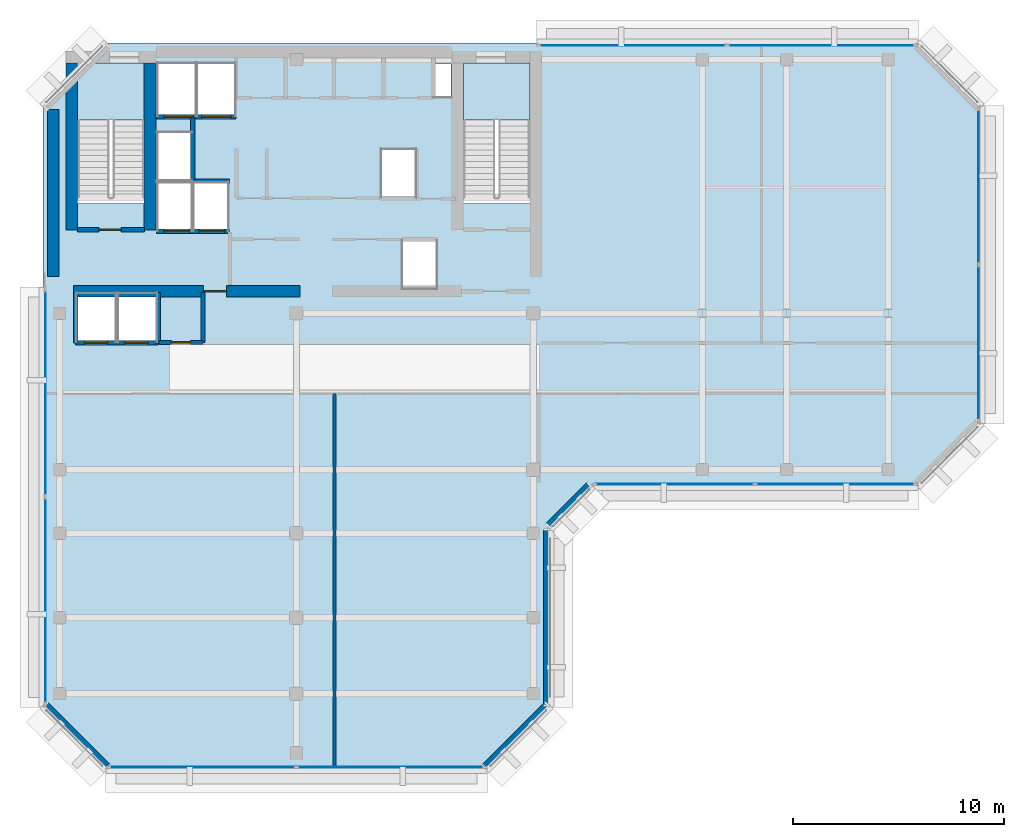
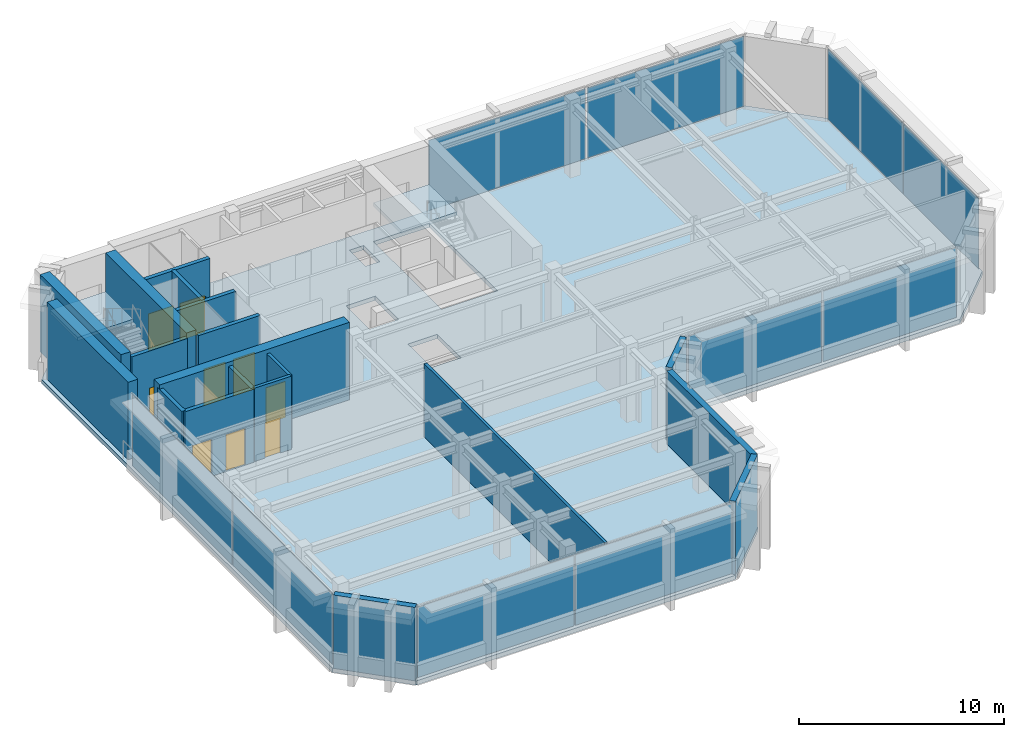
# One storey, part 4 of 9: 19 walls, 10 plates, 9 doors, 3 slabs, 9 openings, 7 elements without a shape of their own.
"""IFC4 building model written with IfcOpenShell, lengths in metres."""

from ifc_helpers import new_model, si_unit, direction, frame, frame_2d, origin, origin_2d, place, context, subcontext, project, spatial, polyline, rectangle, outline, extrude, material, layer, layer_set, type_object, element, fill, aggregate, save


model = new_model("IFC4")

# Units and contexts
model_context = context("Model", 3, precision=1e-05, world=origin(), true_north=direction((0.0, 1.0)))
body_context = subcontext(model_context, "Body", "Model", "MODEL_VIEW")
ifc_project = project(units=[si_unit("LENGTHUNIT", "METRE"), si_unit("AREAUNIT", "SQUARE_METRE"), si_unit("VOLUMEUNIT", "CUBIC_METRE"), si_unit("PLANEANGLEUNIT", "RADIAN"), si_unit("MASSUNIT", "GRAM", prefix="KILO")], contexts=[model_context])

# Site, building, storey
site_placement = place(None, origin())
site = spatial("IfcSite", under=ifc_project, at=site_placement, CompositionType="ELEMENT")
building_placement = place(site_placement, origin())
building = spatial("IfcBuilding", under=site, at=building_placement, Name="Kefirva Bronze Tower", CompositionType="ELEMENT")
storey_placement = place(building_placement, frame((0.0, 0.0, 352.110107421875)))
storey = spatial("IfcBuildingStorey", under=building, at=storey_placement, Name="L86", CompositionType="ELEMENT", Elevation=352.110107421875)

# Stair, slab
ifc_material_1 = material(Name="Concrete C40/50", Category="concrete")
stair_type = type_object("IfcStairType", Name="RC Dogleg Protected Stair 28R", PredefinedType="HALF_TURN_STAIR", material=ifc_material_1)
stair_1_placement = place(storey_placement, origin())
stair_1 = element("IfcStair", 1, at=stair_1_placement, inside=storey, type_object=stair_type, Name="L86 Protected Exit Stair 1", PredefinedType="HALF_TURN_STAIR")
ifc_layer_1 = layer(ifc_material_1, 0.199951171875, Name="Concrete C40/50")
ifc_layer_set_1 = layer_set([ifc_layer_1], Name="Concrete C40/50")
slab_type_1 = type_object("IfcSlabType", Name="RC Stair Landing Slab 200mm", PredefinedType="LANDING", material=ifc_layer_set_1)
slab_1_placement = place(storey_placement, frame((0.0, 0.0, 2.10986328125)))
slab_1 = element("IfcSlab", 2, at=slab_1_placement, type_object=slab_type_1, Name="ST-1 landing 1", PredefinedType="LANDING", context=body_context, shape_type="SweptSolid", body=[
    extrude(outline(polyline([(4.800048828125, 42.340087890625), (4.800048828125, 45.050048828125), (1.64990234375, 45.050048828125), (1.64990234375, 42.340087890625), (4.800048828125, 42.340087890625)])), origin(), (0.0, 0.0, 1.0), 0.199951171875),
])
aggregate(stair_1, [slab_1])

stair_2_placement = place(storey_placement, origin())
stair_2 = element("IfcStair", 3, at=stair_2_placement, inside=storey, type_object=stair_type, Name="L86 Protected Exit Stair 2", PredefinedType="HALF_TURN_STAIR")
slab_2_placement = place(storey_placement, frame((0.0, 0.0, 2.10986328125)))
slab_2 = element("IfcSlab", 4, at=slab_2_placement, type_object=slab_type_1, Name="ST-2 landing 1", PredefinedType="LANDING", context=body_context, shape_type="SweptSolid", body=[
    extrude(outline(polyline([(23.050048828125, 42.340087890625), (23.050048828125, 45.050048828125), (19.89990234375, 45.050048828125), (19.89990234375, 42.340087890625), (23.050048828125, 42.340087890625)])), origin(), (0.0, 0.0, 1.0), 0.199951171875),
])
aggregate(stair_2, [slab_2])

# Slab
ifc_layer_2 = layer(ifc_material_1, 0.25, Name="Concrete C40/50")
ifc_layer_set_2 = layer_set([ifc_layer_2], Name="Concrete C40/50")
slab_type_2 = type_object("IfcSlabType", Name="RC Tower Floor Slab 250mm", PredefinedType="FLOOR", material=ifc_layer_set_2)
slab_3_placement = place(storey_placement, frame((0.0, 0.0, -0.25)))
element("IfcSlab", 5, at=slab_3_placement, inside=storey, type_object=slab_type_2, Name="L86 Structural Floor Slab", PredefinedType="FLOOR", context=body_context, shape_type="SweptSolid", body=[
    extrude(outline(polyline([(0.0, 14.60009765625), (0.0, 43.0), (1.64990234375, 44.64990234375), (1.64990234375, 38.39990234375), (4.800048828125, 38.39990234375), (4.800048828125, 45.050048828125), (2.050048828125, 45.050048828125), (3.0, 46.0), (41.39990234375, 46.0), (44.39990234375, 43.0), (44.39990234375, 28.0), (41.39990234375, 25.0), (26.0, 25.0), (24.0, 23.0), (24.0, 14.60009765625), (21.0, 11.60009765625), (3.0, 11.60009765625), (0.0, 14.60009765625)]), holes=[polyline([(23.050048828125, 45.050048828125), (19.89990234375, 45.050048828125), (19.89990234375, 38.39990234375), (23.050048828125, 38.39990234375), (23.050048828125, 45.050048828125)]), polyline([(19.320068359375, 43.419921875), (19.320068359375, 45.0), (18.52001953125, 45.0), (18.52001953125, 43.419921875), (19.320068359375, 43.419921875)]), polyline([(18.64990234375, 36.64990234375), (17.0, 36.64990234375), (17.0, 34.35009765625), (18.64990234375, 34.35009765625), (18.64990234375, 36.64990234375)]), polyline([(17.64990234375, 38.679931640625), (17.64990234375, 40.97998046875), (16.0, 40.97998046875), (16.0, 38.679931640625), (17.64990234375, 38.679931640625)]), polyline([(9.1201171875, 42.550048828125), (9.1201171875, 45.050048828125), (7.300048828125, 45.050048828125), (7.300048828125, 42.550048828125), (9.1201171875, 42.550048828125)]), polyline([(8.780029296875, 37.10009765625), (8.780029296875, 39.39990234375), (7.139892578125, 39.39990234375), (7.139892578125, 37.10009765625), (8.780029296875, 37.10009765625)]), polyline([(7.239990234375, 42.550048828125), (7.239990234375, 45.050048828125), (5.419921875, 45.050048828125), (5.419921875, 42.550048828125), (7.239990234375, 42.550048828125)]), polyline([(7.06005859375, 37.10009765625), (7.06005859375, 39.39990234375), (5.419921875, 39.39990234375), (5.419921875, 37.10009765625), (7.06005859375, 37.10009765625)]), polyline([(7.06005859375, 41.780029296875), (5.419921875, 41.780029296875), (5.419921875, 39.47998046875), (7.06005859375, 39.47998046875), (7.06005859375, 41.780029296875)]), polyline([(5.39990234375, 31.85009765625), (5.39990234375, 34.14990234375), (3.550048828125, 34.14990234375), (3.550048828125, 31.85009765625), (5.39990234375, 31.85009765625)]), polyline([(3.449951171875, 34.14990234375), (1.60009765625, 34.14990234375), (1.60009765625, 31.85009765625), (3.449951171875, 31.85009765625), (3.449951171875, 34.14990234375)])]), origin(), (0.0, 0.0, 1.0), 0.25),
])

# Curtain wall, plates
ifc_material_2 = material(Name="Bronze anodised aluminium", Category="aluminium")
ifc_layer_3 = layer(ifc_material_2, 0.219970703125, Name="Bronze anodised aluminium")
ifc_layer_set_3 = layer_set([ifc_layer_3], Name="Bronze anodised aluminium")
curtain_wall_type = type_object("IfcCurtainWallType", Name="Slanted Crown Faceted Bronze Curtain Wall", PredefinedType="USERDEFINED", material=ifc_layer_set_3)
curtain_wall_1_placement = place(storey_placement, origin())
curtain_wall_1 = element("IfcCurtainWall", 6, at=curtain_wall_1_placement, inside=storey, type_object=curtain_wall_type, Name="L86 Curtain Wall 1", ObjectType="UNITISED CURTAIN WALL", PredefinedType="USERDEFINED")
ifc_material_3 = material(Name="Laminated low-E double glazing", Category="glass")
ifc_layer_4 = layer(ifc_material_3, 0.031982421875, Name="Laminated low-E double glazing")
ifc_layer_set_4 = layer_set([ifc_layer_4], Name="Laminated low-E double glazing")
plate_type = type_object("IfcPlateType", Name="Solar-Control Low-E Vision Panel 32mm", PredefinedType="CURTAIN_PANEL", material=ifc_layer_set_4)
plate_1_placement = place(storey_placement, frame((7.550048828125, 11.719970703125, 0.08984375), z_axis=(0.0, 0.0, 1.0), x_axis=(1.0, 0.0, 0.0)))
plate_1 = element("IfcPlate", 7, at=plate_1_placement, type_object=plate_type, Name="CW-07 panel 1.1", PredefinedType="CURTAIN_PANEL", context=body_context, shape_type="SweptSolid", body=[
    extrude(rectangle(XDim=8.81005859375, YDim=0.031982421875, at=origin_2d()), origin(), (0.0, 0.0, 1.0), 4.18994140625),
])
plate_2_placement = place(storey_placement, frame((16.449951171875, 11.719970703125, 0.08984375), z_axis=(0.0, 0.0, 1.0), x_axis=(1.0, 0.0, 0.0)))
plate_2 = element("IfcPlate", 8, at=plate_2_placement, type_object=plate_type, Name="CW-07 panel 2.1", PredefinedType="CURTAIN_PANEL", context=body_context, shape_type="SweptSolid", body=[
    extrude(rectangle(XDim=8.81005859375, YDim=0.031982421875, at=origin_2d()), origin(), (0.0, 0.0, 1.0), 4.18994140625),
])
aggregate(curtain_wall_1, [plate_1, plate_2])

curtain_wall_2_placement = place(storey_placement, origin())
curtain_wall_2 = element("IfcCurtainWall", 9, at=curtain_wall_2_placement, inside=storey, type_object=curtain_wall_type, Name="L86 Curtain Wall 2", ObjectType="UNITISED CURTAIN WALL", PredefinedType="USERDEFINED")
plate_3_placement = place(storey_placement, frame((29.89990234375, 25.1201171875, 0.08984375), z_axis=(0.0, 0.0, 1.0), x_axis=(1.0, 0.0, 0.0)))
plate_3 = element("IfcPlate", 10, at=plate_3_placement, type_object=plate_type, Name="CW-07 panel 1.1", PredefinedType="CURTAIN_PANEL", context=body_context, shape_type="SweptSolid", body=[
    extrude(rectangle(XDim=7.510009765625, YDim=0.031982421875, at=origin_2d()), origin(), (0.0, 0.0, 1.0), 4.18994140625),
])
plate_4_placement = place(storey_placement, frame((37.5, 25.1201171875, 0.08984375), z_axis=(0.0, 0.0, 1.0), x_axis=(1.0, 0.0, 0.0)))
plate_4 = element("IfcPlate", 11, at=plate_4_placement, type_object=plate_type, Name="CW-07 panel 2.1", PredefinedType="CURTAIN_PANEL", context=body_context, shape_type="SweptSolid", body=[
    extrude(rectangle(XDim=7.510009765625, YDim=0.031982421875, at=origin_2d()), origin(), (0.0, 0.0, 1.0), 4.18994140625),
])
aggregate(curtain_wall_2, [plate_3, plate_4])

curtain_wall_3_placement = place(storey_placement, origin())
curtain_wall_3 = element("IfcCurtainWall", 12, at=curtain_wall_3_placement, inside=storey, type_object=curtain_wall_type, Name="L86 Curtain Wall 3", ObjectType="UNITISED CURTAIN WALL", PredefinedType="USERDEFINED")
plate_5_placement = place(storey_placement, frame((44.280029296875, 31.800048828125, 0.08984375), z_axis=(0.0, 0.0, 1.0), x_axis=(0.0, 1.0, 0.0)))
plate_5 = element("IfcPlate", 13, at=plate_5_placement, type_object=plate_type, Name="CW-07 panel 1.1", PredefinedType="CURTAIN_PANEL", context=body_context, shape_type="SweptSolid", body=[
    extrude(rectangle(XDim=7.31005859375, YDim=0.031982421875, at=origin_2d()), origin(), (0.0, 0.0, 1.0), 4.18994140625),
])
plate_6_placement = place(storey_placement, frame((44.280029296875, 39.199951171875, 0.08984375), z_axis=(0.0, 0.0, 1.0), x_axis=(0.0, 1.0, 0.0)))
plate_6 = element("IfcPlate", 14, at=plate_6_placement, type_object=plate_type, Name="CW-07 panel 2.1", PredefinedType="CURTAIN_PANEL", context=body_context, shape_type="SweptSolid", body=[
    extrude(rectangle(XDim=7.31005859375, YDim=0.031982421875, at=origin_2d()), origin(), (0.0, 0.0, 1.0), 4.18994140625),
])
aggregate(curtain_wall_3, [plate_5, plate_6])

curtain_wall_4_placement = place(storey_placement, origin())
curtain_wall_4 = element("IfcCurtainWall", 15, at=curtain_wall_4_placement, inside=storey, type_object=curtain_wall_type, Name="L86 Curtain Wall 4", ObjectType="UNITISED CURTAIN WALL", PredefinedType="USERDEFINED")
plate_7_placement = place(storey_placement, frame((36.83740234375, 45.8798828125, 0.08984375), z_axis=(0.0, 0.0, 1.0), x_axis=(-1.0, 0.0, 0.0)))
plate_7 = element("IfcPlate", 16, at=plate_7_placement, type_object=plate_type, Name="CW-07 panel 1.1", PredefinedType="CURTAIN_PANEL", context=body_context, shape_type="SweptSolid", body=[
    extrude(rectangle(XDim=8.8349609375, YDim=0.031982421875, at=origin_2d()), origin(), (0.0, 0.0, 1.0), 4.18994140625),
])
plate_8_placement = place(storey_placement, frame((27.91259765625, 45.8798828125, 0.08984375), z_axis=(0.0, 0.0, 1.0), x_axis=(-1.0, 0.0, 0.0)))
plate_8 = element("IfcPlate", 17, at=plate_8_placement, type_object=plate_type, Name="CW-07 panel 2.1", PredefinedType="CURTAIN_PANEL", context=body_context, shape_type="SweptSolid", body=[
    extrude(rectangle(XDim=8.8349609375, YDim=0.031982421875, at=origin_2d()), origin(), (0.0, 0.0, 1.0), 4.18994140625),
])
aggregate(curtain_wall_4, [plate_7, plate_8])

curtain_wall_5_placement = place(storey_placement, origin())
curtain_wall_5 = element("IfcCurtainWall", 18, at=curtain_wall_5_placement, inside=storey, type_object=curtain_wall_type, Name="L86 Curtain Wall 5", ObjectType="UNITISED CURTAIN WALL", PredefinedType="USERDEFINED")
plate_9_placement = place(storey_placement, frame((0.1201171875, 29.4375, 0.08984375), z_axis=(0.0, 0.0, 1.0), x_axis=(0.0, -1.0, 0.0)))
plate_9 = element("IfcPlate", 19, at=plate_9_placement, type_object=plate_type, Name="CW-07 panel 1.1", PredefinedType="CURTAIN_PANEL", context=body_context, shape_type="SweptSolid", body=[
    extrude(rectangle(XDim=9.735107421875, YDim=0.031982421875, at=origin_2d()), origin(), (0.0, 0.0, 1.0), 4.18994140625),
])
plate_10_placement = place(storey_placement, frame((0.1201171875, 19.612548828125, 0.08984375), z_axis=(0.0, 0.0, 1.0), x_axis=(0.0, -1.0, 0.0)))
plate_10 = element("IfcPlate", 20, at=plate_10_placement, type_object=plate_type, Name="CW-07 panel 2.1", PredefinedType="CURTAIN_PANEL", context=body_context, shape_type="SweptSolid", body=[
    extrude(rectangle(XDim=9.735107421875, YDim=0.031982421875, at=origin_2d()), origin(), (0.0, 0.0, 1.0), 4.18994140625),
])
aggregate(curtain_wall_5, [plate_9, plate_10])

# Wall
ifc_material_4 = material(Name="Gypsum acoustic partition")
ifc_layer_5 = layer(ifc_material_4, 0.14990234375, Name="Gypsum acoustic partition")
ifc_layer_set_5 = layer_set([ifc_layer_5], Name="Gypsum acoustic partition")
wall_type_1 = type_object("IfcWallType", Name="Executive Suite Partition 150mm", PredefinedType="PARTITIONING", material=ifc_layer_set_5)
wall_1_placement = place(storey_placement, frame((13.800048828125, 11.7900390625, 0.0), z_axis=(0.0, 0.0, 1.0), x_axis=(0.0, 1.0, 0.0)))
element("IfcWall", 21, at=wall_1_placement, inside=storey, type_object=wall_type_1, Name="L86 Partition W-L86-LKD1", PredefinedType="PARTITIONING", context=body_context, shape_type="SweptSolid", body=[
    extrude(rectangle(XDim=17.60986328125, YDim=0.14990234375, at=frame_2d((8.804931640625, 0.0))), origin(), (0.0, 0.0, 1.0), 4.369873046875),
])

# Wall, opening, door
ifc_material_5 = material(Name="Gypsum fireboard shaftwall")
ifc_layer_6 = layer(ifc_material_5, 0.219970703125, Name="Gypsum fireboard shaftwall")
ifc_layer_set_6 = layer_set([ifc_layer_6], Name="Gypsum fireboard shaftwall")
wall_type_2 = type_object("IfcWallType", Name="Fire-Rated Shaft Enclosure Wall 220mm", PredefinedType="PARTITIONING", material=ifc_layer_set_6)
wall_2_placement = place(storey_placement, frame((1.64990234375, 37.14990234375, 0.0), z_axis=(0.0, 0.0, 1.0), x_axis=(1.0, 0.0, 0.0)))
wall_2 = element("IfcWall", 22, at=wall_2_placement, inside=storey, type_object=wall_type_2, Name="L86 Partition W-L86-ST1S", PredefinedType="PARTITIONING", context=body_context, shape_type="SweptSolid", body=[
    extrude(rectangle(XDim=3.150146484375, YDim=0.219970703125, at=frame_2d((1.5751953125, 0.0))), origin(), (0.0, 0.0, 1.0), 4.369873046875),
])
opening_1_placement = place(wall_2_placement, frame((2.050048828125, 0.0, 0.0), z_axis=(0.0, 0.0, 1.0), x_axis=(-1.0, 0.0, 0.0)))
opening_1 = element("IfcOpeningElement", 23, at=opening_1_placement, cuts=wall_2, Name="Opening L86-D001", PredefinedType="OPENING", context=body_context, shape_type="SweptSolid", body=[
    extrude(rectangle(XDim=1.050048828125, YDim=2.14990234375, at=frame_2d((0.52490234375, 1.074951171875))), frame((0.0, 0.1201171875, 0.0), z_axis=(0.0, -1.0, 0.0), x_axis=(1.0, 0.0, 0.0)), (0.0, 0.0, 1.0), 0.239990234375),
])
ifc_material_6 = material(Name="Painted galvanized steel", Category="steel")
door_type_1 = type_object("IfcDoorType", Name="Fire Stair Enclosure Door 1050x2150 FD90S", OperationType="NOTDEFINED", PredefinedType="DOOR", material=ifc_material_6)
door_1_placement = place(opening_1_placement, origin())
door_1 = element("IfcDoor", 24, at=door_1_placement, inside=storey, type_object=door_type_1, Name="Door L86-D001", OperationType="SINGLE_SWING_RIGHT", OverallHeight=2.14990234375, OverallWidth=1.050048828125, PredefinedType="DOOR", context=body_context, shape_type="SweptSolid", body=[
    extrude(rectangle(XDim=1.050048828125, YDim=2.14990234375, at=frame_2d((0.52490234375, 1.074951171875))), frame((0.0, 0.02490234375, 0.0), z_axis=(0.0, -1.0, 0.0), x_axis=(1.0, 0.0, 0.0)), (0.0, 0.0, 1.0), 0.050048828125),
])
fill(opening_1, door_1)

# Wall, openings, doors
wall_3_placement = place(storey_placement, frame((5.3798828125, 37.080078125, 0.0), z_axis=(0.0, 0.0, 1.0), x_axis=(1.0, 0.0, 0.0)))
wall_3 = element("IfcWall", 25, at=wall_3_placement, inside=storey, type_object=wall_type_2, Name="L86 Partition W-L86-FFS", PredefinedType="PARTITIONING", context=body_context, shape_type="SweptSolid", body=[
    extrude(rectangle(XDim=3.460205078125, YDim=0.219970703125, at=frame_2d((1.72998046875, 0.0))), origin(), (0.0, 0.0, 1.0), 4.369873046875),
])
opening_2_placement = place(wall_3_placement, frame((1.550048828125, 0.0, 0.0), z_axis=(0.0, 0.0, 1.0), x_axis=(-1.0, 0.0, 0.0)))
opening_2 = element("IfcOpeningElement", 26, at=opening_2_placement, cuts=wall_3, Name="Opening L86-LD-FF1", PredefinedType="OPENING", context=body_context, shape_type="SweptSolid", body=[
    extrude(rectangle(XDim=1.199951171875, YDim=2.199951171875, at=frame_2d((0.60009765625, 1.10009765625))), frame((0.0, 0.1201171875, 0.0), z_axis=(0.0, -1.0, 0.0), x_axis=(1.0, 0.0, 0.0)), (0.0, 0.0, 1.0), 0.239990234375),
])
opening_3_placement = place(wall_3_placement, frame((3.219970703125, 0.0, 0.0), z_axis=(0.0, 0.0, 1.0), x_axis=(-1.0, 0.0, 0.0)))
opening_3 = element("IfcOpeningElement", 27, at=opening_3_placement, cuts=wall_3, Name="Opening L86-LD-FF2", PredefinedType="OPENING", context=body_context, shape_type="SweptSolid", body=[
    extrude(rectangle(XDim=1.199951171875, YDim=2.199951171875, at=frame_2d((0.60009765625, 1.10009765625))), frame((0.0, 0.1201171875, 0.0), z_axis=(0.0, -1.0, 0.0), x_axis=(1.0, 0.0, 0.0)), (0.0, 0.0, 1.0), 0.239990234375),
])
ifc_material_7 = material(Name="Stainless steel 316", Category="steel")
door_type_2 = type_object("IfcDoorType", Name="Firefighting Lift Sliding Door 1200x2200", OperationType="SLIDING_TO_RIGHT", PredefinedType="DOOR", material=ifc_material_7)
door_2_placement = place(opening_2_placement, origin())
door_2 = element("IfcDoor", 28, at=door_2_placement, inside=storey, type_object=door_type_2, Name="Door L86-LD-FF1", OperationType="SLIDING_TO_RIGHT", OverallHeight=2.199951171875, OverallWidth=1.199951171875, PredefinedType="DOOR", context=body_context, shape_type="SweptSolid", body=[
    extrude(rectangle(XDim=1.199951171875, YDim=2.199951171875, at=frame_2d((0.60009765625, 1.10009765625))), frame((0.0, 0.02490234375, 0.0), z_axis=(0.0, -1.0, 0.0), x_axis=(1.0, 0.0, 0.0)), (0.0, 0.0, 1.0), 0.050048828125),
])
fill(opening_2, door_2)
door_3_placement = place(opening_3_placement, origin())
door_3 = element("IfcDoor", 29, at=door_3_placement, inside=storey, type_object=door_type_2, Name="Door L86-LD-FF2", OperationType="SLIDING_TO_RIGHT", OverallHeight=2.199951171875, OverallWidth=1.199951171875, PredefinedType="DOOR", context=body_context, shape_type="SweptSolid", body=[
    extrude(rectangle(XDim=1.199951171875, YDim=2.199951171875, at=frame_2d((0.60009765625, 1.10009765625))), frame((0.0, 0.02490234375, 0.0), z_axis=(0.0, -1.0, 0.0), x_axis=(1.0, 0.0, 0.0)), (0.0, 0.0, 1.0), 0.050048828125),
])
fill(opening_3, door_3)

# Wall
wall_4_placement = place(storey_placement, frame((5.3798828125, 39.449951171875, 0.0), z_axis=(0.0, 0.0, 1.0), x_axis=(1.0, 0.0, 0.0)))
element("IfcWall", 30, at=wall_4_placement, inside=storey, type_object=wall_type_2, Name="L86 Partition W-L86-FFN", PredefinedType="PARTITIONING", context=body_context, shape_type="SweptSolid", body=[
    extrude(rectangle(XDim=3.460205078125, YDim=0.219970703125, at=frame_2d((1.72998046875, 0.0))), origin(), (0.0, 0.0, 1.0), 4.369873046875),
])

# Wall, openings, doors
wall_5_placement = place(storey_placement, frame((5.3798828125, 42.5, 0.0), z_axis=(0.0, 0.0, 1.0), x_axis=(1.0, 0.0, 0.0)))
wall_5 = element("IfcWall", 31, at=wall_5_placement, inside=storey, type_object=wall_type_2, Name="L86 Partition W-L86-SVS", PredefinedType="PARTITIONING", context=body_context, shape_type="SweptSolid", body=[
    extrude(rectangle(XDim=3.77001953125, YDim=0.219970703125, at=frame_2d((1.885009765625, 0.0))), origin(), (0.0, 0.0, 1.0), 4.369873046875),
])
opening_4_placement = place(wall_5_placement, frame((1.75, 0.0, 0.0), z_axis=(0.0, 0.0, 1.0), x_axis=(-1.0, 0.0, 0.0)))
opening_4 = element("IfcOpeningElement", 32, at=opening_4_placement, cuts=wall_5, Name="Opening L86-LD-SV1", PredefinedType="OPENING", context=body_context, shape_type="SweptSolid", body=[
    extrude(rectangle(XDim=1.39990234375, YDim=2.199951171875, at=frame_2d((0.699951171875, 1.10009765625))), frame((0.0, 0.1201171875, 0.0), z_axis=(0.0, -1.0, 0.0), x_axis=(1.0, 0.0, 0.0)), (0.0, 0.0, 1.0), 0.239990234375),
])
opening_5_placement = place(wall_5_placement, frame((3.52978515625, 0.0, 0.0), z_axis=(0.0, 0.0, 1.0), x_axis=(-1.0, 0.0, 0.0)))
opening_5 = element("IfcOpeningElement", 33, at=opening_5_placement, cuts=wall_5, Name="Opening L86-LD-SV2", PredefinedType="OPENING", context=body_context, shape_type="SweptSolid", body=[
    extrude(rectangle(XDim=1.39990234375, YDim=2.199951171875, at=frame_2d((0.699951171875, 1.10009765625))), frame((0.0, 0.1201171875, 0.0), z_axis=(0.0, -1.0, 0.0), x_axis=(1.0, 0.0, 0.0)), (0.0, 0.0, 1.0), 0.239990234375),
])
door_type_3 = type_object("IfcDoorType", Name="Goods Lift Bi-Parting Sliding Door 1400x2200", OperationType="SLIDING_TO_LEFT", PredefinedType="DOOR", material=ifc_material_7)
door_4_placement = place(opening_4_placement, origin())
door_4 = element("IfcDoor", 34, at=door_4_placement, inside=storey, type_object=door_type_3, Name="Door L86-LD-SV1", OperationType="SLIDING_TO_LEFT", OverallHeight=2.199951171875, OverallWidth=1.39990234375, PredefinedType="DOOR", context=body_context, shape_type="SweptSolid", body=[
    extrude(rectangle(XDim=1.39990234375, YDim=2.199951171875, at=frame_2d((0.699951171875, 1.10009765625))), frame((0.0, 0.02490234375, 0.0), z_axis=(0.0, -1.0, 0.0), x_axis=(1.0, 0.0, 0.0)), (0.0, 0.0, 1.0), 0.050048828125),
])
fill(opening_4, door_4)
door_5_placement = place(opening_5_placement, origin())
door_5 = element("IfcDoor", 35, at=door_5_placement, inside=storey, type_object=door_type_3, Name="Door L86-LD-SV2", OperationType="SLIDING_TO_LEFT", OverallHeight=2.199951171875, OverallWidth=1.39990234375, PredefinedType="DOOR", context=body_context, shape_type="SweptSolid", body=[
    extrude(rectangle(XDim=1.39990234375, YDim=2.199951171875, at=frame_2d((0.699951171875, 1.10009765625))), frame((0.0, 0.02490234375, 0.0), z_axis=(0.0, -1.0, 0.0), x_axis=(1.0, 0.0, 0.0)), (0.0, 0.0, 1.0), 0.050048828125),
])
fill(opening_5, door_5)

# Wall
wall_6_placement = place(storey_placement, frame((7.10009765625, 39.52001953125, 0.0), z_axis=(0.0, 0.0, 1.0), x_axis=(0.0, 1.0, 0.0)))
element("IfcWall", 36, at=wall_6_placement, inside=storey, type_object=wall_type_2, Name="L86 Partition W-L86-HP3E", PredefinedType="PARTITIONING", context=body_context, shape_type="SweptSolid", body=[
    extrude(rectangle(XDim=2.929931640625, YDim=0.219970703125, at=frame_2d((1.46484375, 0.0))), origin(), (0.0, 0.0, 1.0), 4.369873046875),
])

# Wall, openings, doors
wall_7_placement = place(storey_placement, frame((1.550048828125, 31.800048828125, 0.0), z_axis=(0.0, 0.0, 1.0), x_axis=(1.0, 0.0, 0.0)))
wall_7 = element("IfcWall", 37, at=wall_7_placement, inside=storey, type_object=wall_type_2, Name="L86 Partition W-L86-OBS", PredefinedType="PARTITIONING", context=body_context, shape_type="SweptSolid", body=[
    extrude(rectangle(XDim=3.89990234375, YDim=0.219970703125, at=frame_2d((1.949951171875, 0.0))), origin(), (0.0, 0.0, 1.0), 4.369873046875),
])
opening_6_placement = place(wall_7_placement, frame((1.52001953125, 0.0, 0.0), z_axis=(0.0, 0.0, 1.0), x_axis=(-1.0, 0.0, 0.0)))
opening_6 = element("IfcOpeningElement", 38, at=opening_6_placement, cuts=wall_7, Name="Opening L86-LD-OB1", PredefinedType="OPENING", context=body_context, shape_type="SweptSolid", body=[
    extrude(rectangle(XDim=1.10009765625, YDim=2.199951171875, at=frame_2d((0.550048828125, 1.10009765625))), frame((0.0, 0.1201171875, 0.0), z_axis=(0.0, -1.0, 0.0), x_axis=(1.0, 0.0, 0.0)), (0.0, 0.0, 1.0), 0.239990234375),
])
opening_7_placement = place(wall_7_placement, frame((3.420166015625, 0.0, 0.0), z_axis=(0.0, 0.0, 1.0), x_axis=(-1.0, 0.0, 0.0)))
opening_7 = element("IfcOpeningElement", 39, at=opening_7_placement, cuts=wall_7, Name="Opening L86-LD-OB2", PredefinedType="OPENING", context=body_context, shape_type="SweptSolid", body=[
    extrude(rectangle(XDim=1.10009765625, YDim=2.199951171875, at=frame_2d((0.550048828125, 1.10009765625))), frame((0.0, 0.1201171875, 0.0), z_axis=(0.0, -1.0, 0.0), x_axis=(1.0, 0.0, 0.0)), (0.0, 0.0, 1.0), 0.239990234375),
])
door_type_4 = type_object("IfcDoorType", Name="Passenger Lift Sliding Landing Door 1100x2200", OperationType="SLIDING_TO_LEFT", PredefinedType="DOOR", material=ifc_material_7)
door_6_placement = place(opening_6_placement, origin())
door_6 = element("IfcDoor", 40, at=door_6_placement, inside=storey, type_object=door_type_4, Name="Door L86-LD-OB1", OperationType="SLIDING_TO_LEFT", OverallHeight=2.199951171875, OverallWidth=1.10009765625, PredefinedType="DOOR", context=body_context, shape_type="SweptSolid", body=[
    extrude(rectangle(XDim=1.10009765625, YDim=2.199951171875, at=frame_2d((0.550048828125, 1.10009765625))), frame((0.0, 0.02490234375, 0.0), z_axis=(0.0, -1.0, 0.0), x_axis=(1.0, 0.0, 0.0)), (0.0, 0.0, 1.0), 0.050048828125),
])
fill(opening_6, door_6)
door_7_placement = place(opening_7_placement, origin())
door_7 = element("IfcDoor", 41, at=door_7_placement, inside=storey, type_object=door_type_4, Name="Door L86-LD-OB2", OperationType="SLIDING_TO_LEFT", OverallHeight=2.199951171875, OverallWidth=1.10009765625, PredefinedType="DOOR", context=body_context, shape_type="SweptSolid", body=[
    extrude(rectangle(XDim=1.10009765625, YDim=2.199951171875, at=frame_2d((0.550048828125, 1.10009765625))), frame((0.0, 0.02490234375, 0.0), z_axis=(0.0, -1.0, 0.0), x_axis=(1.0, 0.0, 0.0)), (0.0, 0.0, 1.0), 0.050048828125),
])
fill(opening_7, door_7)

# Walls
for number, where, z_axis, x_axis, name in (
    (42, (1.550048828125, 31.800048828125, 0.0), (0.0, 0.0, 1.0), (0.0, 1.0, 0.0), "L86 Partition W-L86-OBW"),
    (43, (5.449951171875, 31.800048828125, 0.0), (0.0, 0.0, 1.0), (0.0, 1.0, 0.0), "L86 Partition W-L86-OBE"),
):
    element("IfcWall", number, at=place(storey_placement, frame(where, z_axis=z_axis, x_axis=x_axis)), inside=storey, type_object=wall_type_2, Name=name, PredefinedType="PARTITIONING", context=body_context, shape_type="SweptSolid", body=[
        extrude(rectangle(XDim=2.3798828125, YDim=0.219970703125, at=frame_2d((1.18994140625, 0.0))), origin(), (0.0, 0.0, 1.0), 4.369873046875),
    ])
ifc_material_8 = material(Name="Precast concrete C40/50", Category="concrete")
ifc_layer_7 = layer(ifc_material_8, 0.320068359375, Name="Precast concrete C40/50")
ifc_layer_set_7 = layer_set([ifc_layer_7], Name="Precast concrete C40/50")
wall_type_3 = type_object("IfcWallType", Name="Precast Insulated Exterior Wall 320mm", PredefinedType="SOLIDWALL", material=ifc_layer_set_7)
wall_8_placement = place(storey_placement, frame((20.92578125, 11.751953125, 0.0), z_axis=(0.0, 0.0, 1.0), x_axis=(0.707077242712, 0.707136318428, 0.0)))
element("IfcWall", 44, at=wall_8_placement, inside=storey, type_object=wall_type_3, Name="L86 Exterior Facade Wall 1", PredefinedType="SOLIDWALL", context=body_context, shape_type="SweptSolid", body=[
    extrude(rectangle(XDim=4.132568359375, YDim=0.320068359375, at=frame_2d((2.06640625, 0.0))), origin(), (0.0, 0.0, 1.0), 4.369873046875),
])
wall_9_placement = place(storey_placement, frame((23.840087890625, 14.655029296875, 0.0), z_axis=(0.0, 0.0, 1.0), x_axis=(0.0, 1.0, 0.0)))
element("IfcWall", 45, at=wall_9_placement, inside=storey, type_object=wall_type_3, Name="L86 Exterior Facade Wall 2", PredefinedType="SOLIDWALL", context=body_context, shape_type="SweptSolid", body=[
    extrude(rectangle(XDim=8.2900390625, YDim=0.320068359375, at=frame_2d((4.14501953125, 0.0))), origin(), (0.0, 0.0, 1.0), 4.369873046875),
])
wall_10_placement = place(storey_placement, frame((23.92578125, 23.152099609375, 0.0), z_axis=(0.0, 0.0, 1.0), x_axis=(0.707106781187, 0.707106781187, 0.0)))
element("IfcWall", 46, at=wall_10_placement, inside=storey, type_object=wall_type_3, Name="L86 Exterior Facade Wall 3", PredefinedType="SOLIDWALL", context=body_context, shape_type="SweptSolid", body=[
    extrude(rectangle(XDim=2.71826171875, YDim=0.320068359375, at=frame_2d((1.359130859375, 0.0))), origin(), (0.0, 0.0, 1.0), 4.369873046875),
])
wall_11_placement = place(storey_placement, frame((0.152099609375, 14.67431640625, 0.0), z_axis=(0.0, 0.0, 1.0), x_axis=(0.707077242712, -0.707136318428, 0.0)))
element("IfcWall", 47, at=wall_11_placement, inside=storey, type_object=wall_type_3, Name="L86 Exterior Facade Wall 7", PredefinedType="SOLIDWALL", context=body_context, shape_type="SweptSolid", body=[
    extrude(rectangle(XDim=4.132568359375, YDim=0.320068359375, at=frame_2d((2.06640625, 0.0))), origin(), (0.0, 0.0, 1.0), 4.369873046875),
])
ifc_material_9 = material(Name="Concrete C50/60", Category="concrete")
ifc_layer_8 = layer(ifc_material_9, 0.550048828125, Name="Concrete C50/60")
ifc_layer_set_8 = layer_set([ifc_layer_8], Name="Concrete C50/60")
wall_type_4 = type_object("IfcWallType", Name="RC Rear Core Exterior Wall 550mm", PredefinedType="SHEAR", material=ifc_layer_set_8)
wall_12_placement = place(storey_placement, frame((0.5, 34.949951171875, 0.0), z_axis=(0.0, 0.0, 1.0), x_axis=(0.0, 1.0, 0.0)))
element("IfcWall", 48, at=wall_12_placement, inside=storey, type_object=wall_type_4, Name="L86 Rear Core West Shear Wall", PredefinedType="SHEAR", context=body_context, shape_type="SweptSolid", body=[
    extrude(rectangle(XDim=7.900146484375, YDim=0.550048828125, at=frame_2d((3.9501953125, 0.0))), origin(), (0.0, 0.0, 1.0), 4.619873046875),
])

# Wall, opening, door
ifc_layer_9 = layer(ifc_material_9, 0.550048828125, Name="Concrete C50/60")
ifc_layer_set_9 = layer_set([ifc_layer_9], Name="Concrete C50/60")
wall_type_5 = type_object("IfcWallType", Name="RC Rear Core Interior Wall 550mm", PredefinedType="SHEAR", material=ifc_layer_set_9)
wall_13_placement = place(storey_placement, frame((1.449951171875, 34.25, 0.0), z_axis=(0.0, 0.0, 1.0), x_axis=(1.0, 0.0, 0.0)))
wall_13 = element("IfcWall", 49, at=wall_13_placement, inside=storey, type_object=wall_type_5, Name="L86 Rear Core South-West Shear Wall", PredefinedType="SHEAR", context=body_context, shape_type="SweptSolid", body=[
    extrude(rectangle(XDim=10.7099609375, YDim=0.550048828125, at=frame_2d((5.35498046875, 0.0))), origin(), (0.0, 0.0, 1.0), 4.619873046875),
])
opening_8_placement = place(wall_13_placement, frame((7.25, 0.0, 0.0), z_axis=(0.0, 0.0, 1.0), x_axis=(-1.0, 0.0, 0.0)))
opening_8 = element("IfcOpeningElement", 50, at=opening_8_placement, cuts=wall_13, Name="Opening L86-D002", PredefinedType="OPENING", context=body_context, shape_type="SweptSolid", body=[
    extrude(rectangle(XDim=1.10009765625, YDim=2.14990234375, at=frame_2d((0.550048828125, 1.074951171875))), frame((0.0, 0.28515625, 0.0), z_axis=(0.0, -1.0, 0.0), x_axis=(1.0, 0.0, 0.0)), (0.0, 0.0, 1.0), 0.570068359375),
])
door_type_5 = type_object("IfcDoorType", Name="Firefighting Lobby Smoke Door 1100x2150 FD60S", OperationType="NOTDEFINED", PredefinedType="DOOR", material=ifc_material_6)
door_8_placement = place(opening_8_placement, origin())
door_8 = element("IfcDoor", 51, at=door_8_placement, inside=storey, type_object=door_type_5, Name="Door L86-D002", OperationType="SINGLE_SWING_LEFT", OverallHeight=2.14990234375, OverallWidth=1.10009765625, PredefinedType="DOOR", context=body_context, shape_type="SweptSolid", body=[
    extrude(rectangle(XDim=1.10009765625, YDim=2.14990234375, at=frame_2d((0.550048828125, 1.074951171875))), frame((0.0, 0.02490234375, 0.0), z_axis=(0.0, -1.0, 0.0), x_axis=(1.0, 0.0, 0.0)), (0.0, 0.0, 1.0), 0.050048828125),
])
fill(opening_8, door_8)

# Walls
for number, where, z_axis, x_axis, name in (
    (52, (1.3701171875, 37.14990234375, 0.0), (0.0, 0.0, 1.0), (0.0, 1.0, 0.0), "L86 Stair 1 West Shear Wall"),
    (53, (5.070068359375, 37.14990234375, 0.0), (0.0, 0.0, 1.0), (0.0, 1.0, 0.0), "L86 Stair 1 East Shear Wall"),
):
    element("IfcWall", number, at=place(storey_placement, frame(where, z_axis=z_axis, x_axis=x_axis)), inside=storey, type_object=wall_type_5, Name=name, PredefinedType="SHEAR", context=body_context, shape_type="SweptSolid", body=[
        extrude(rectangle(XDim=7.89013671875, YDim=0.550048828125, at=frame_2d((3.945068359375, 0.0))), origin(), (0.0, 0.0, 1.0), 4.619873046875),
    ])

# Wall, opening, door
ifc_material_10 = material(Name="Moisture-resistant partition")
ifc_layer_10 = layer(ifc_material_10, 0.179931640625, Name="Moisture-resistant partition")
ifc_layer_set_10 = layer_set([ifc_layer_10], Name="Moisture-resistant partition")
wall_type_6 = type_object("IfcWallType", Name="Sanitary Plumbing Chase Wall 180mm", PredefinedType="PLUMBINGWALL", material=ifc_layer_set_10)
wall_14_placement = place(storey_placement, frame((5.5, 31.820068359375, 0.0), z_axis=(0.0, 0.0, 1.0), x_axis=(1.0, 0.0, 0.0)))
wall_14 = element("IfcWall", 54, at=wall_14_placement, inside=storey, type_object=wall_type_6, Name="L86 Partition W-L86-TCS", PredefinedType="PLUMBINGWALL", context=body_context, shape_type="SweptSolid", body=[
    extrude(rectangle(XDim=2.080078125, YDim=0.179931640625, at=frame_2d((1.0400390625, 0.0))), origin(), (0.0, 0.0, 1.0), 4.369873046875),
])
opening_9_placement = place(wall_14_placement, frame((1.47998046875, 0.0, 0.0), z_axis=(0.0, 0.0, 1.0), x_axis=(-1.0, 0.0, 0.0)))
opening_9 = element("IfcOpeningElement", 55, at=opening_9_placement, cuts=wall_14, Name="Opening L86-D-TCL1", PredefinedType="OPENING", context=body_context, shape_type="SweptSolid", body=[
    extrude(rectangle(XDim=0.89990234375, YDim=2.10009765625, at=frame_2d((0.449951171875, 1.050048828125))), frame((0.0, 0.10009765625, 0.0), z_axis=(0.0, -1.0, 0.0), x_axis=(1.0, 0.0, 0.0)), (0.0, 0.0, 1.0), 0.199951171875),
])
door_type_6 = type_object("IfcDoorType", Name="Telecom & Meter Fire Door 900x2100 FD60S", OperationType="NOTDEFINED", PredefinedType="DOOR", material=ifc_material_6)
door_9_placement = place(opening_9_placement, origin())
door_9 = element("IfcDoor", 56, at=door_9_placement, inside=storey, type_object=door_type_6, Name="Door L86-D-TCL1", OperationType="SINGLE_SWING_LEFT", OverallHeight=2.10009765625, OverallWidth=0.89990234375, PredefinedType="DOOR", context=body_context, shape_type="SweptSolid", body=[
    extrude(rectangle(XDim=0.89990234375, YDim=2.10009765625, at=frame_2d((0.449951171875, 1.050048828125))), frame((0.0, 0.02490234375, 0.0), z_axis=(0.0, -1.0, 0.0), x_axis=(1.0, 0.0, 0.0)), (0.0, 0.0, 1.0), 0.050048828125),
])
fill(opening_9, door_9)

# Wall
wall_15_placement = place(storey_placement, frame((7.580078125, 31.820068359375, 0.0), z_axis=(0.0, 0.0, 1.0), x_axis=(0.0, 1.0, 0.0)))
element("IfcWall", 57, at=wall_15_placement, inside=storey, type_object=wall_type_6, Name="L86 Partition W-L86-TCE", PredefinedType="PLUMBINGWALL", context=body_context, shape_type="SweptSolid", body=[
    extrude(rectangle(XDim=2.35986328125, YDim=0.179931640625, at=frame_2d((1.179931640625, 0.0))), origin(), (0.0, 0.0, 1.0), 4.369873046875),
])

save(model, "model.ifc")
